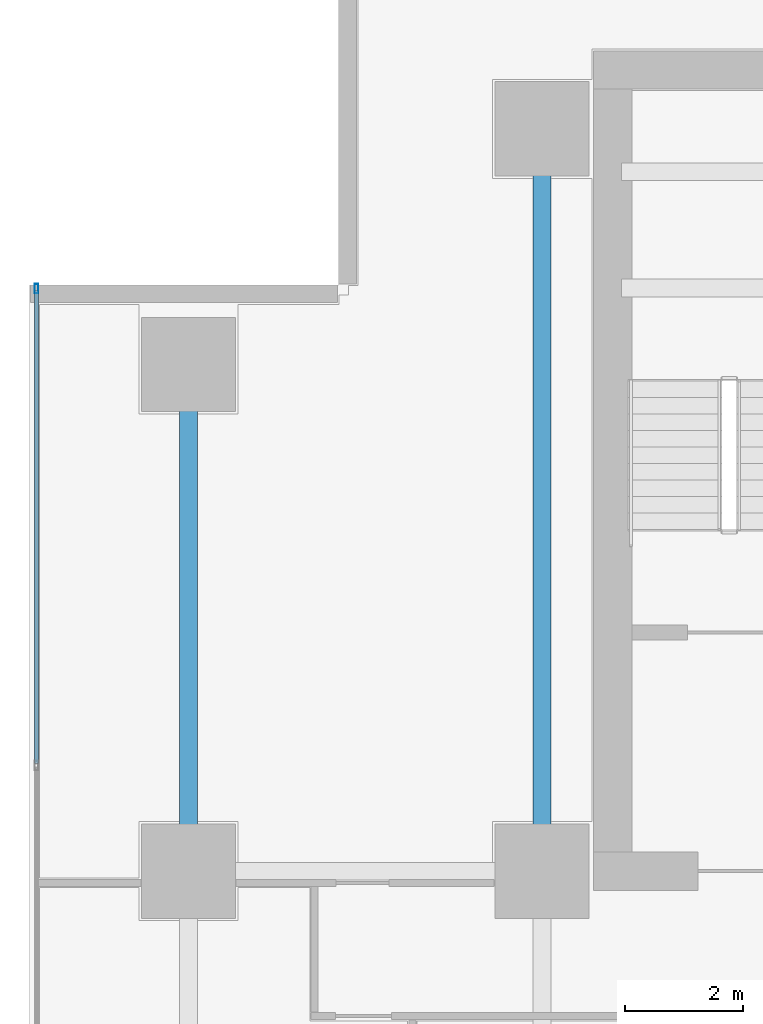
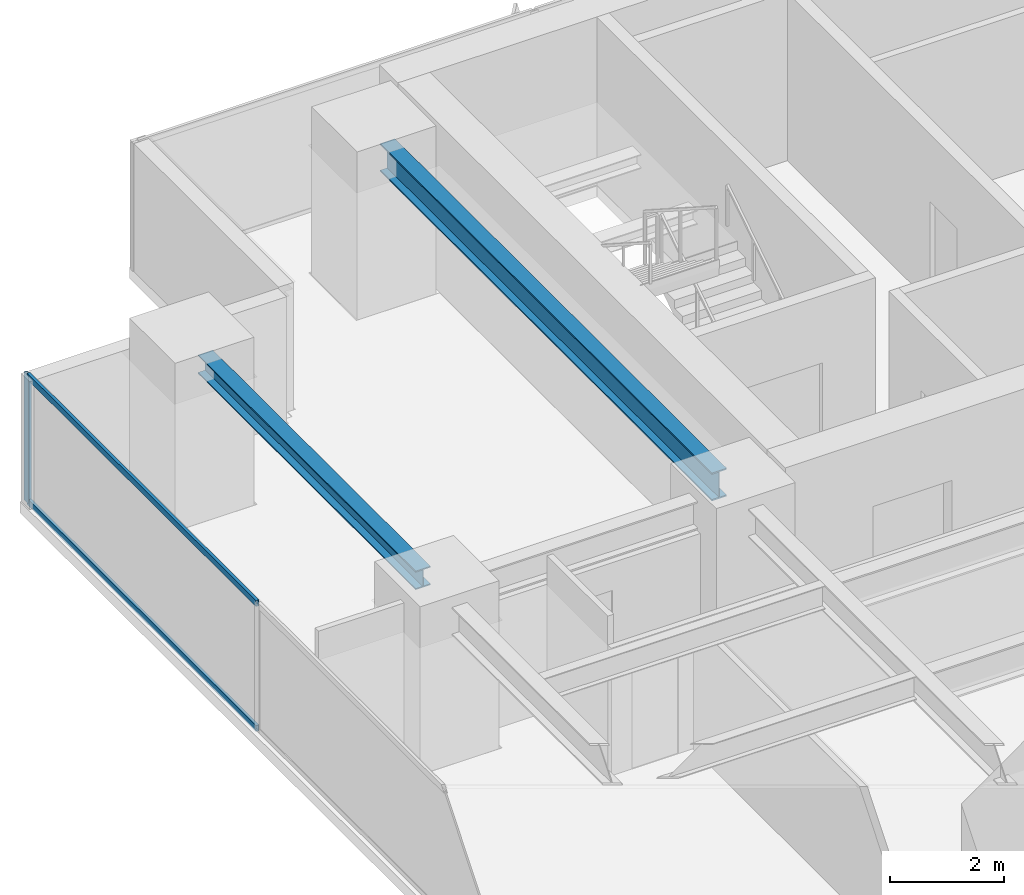
# One storey, part 18 of 37: 3 members, 2 beams, 1 element without a shape of its own.
"""IFC4 building model written with IfcOpenShell, lengths in metres."""

from ifc_helpers import new_model, si_unit, direction, frame, origin, origin_2d, place, context, subcontext, project, spatial, hollow_rectangle, i_section, extrude, source, transform, mapped, material, layer, layer_set, material_profile, profile_set, type_object, element, aggregate, save


model = new_model("IFC4")

# Units and contexts
model_context = context("Model", 3, precision=1e-05, world=origin(), true_north=direction((0.0, 1.0)))
body_context = subcontext(model_context, "Body", "Model", "MODEL_VIEW")
ifc_project = project(units=[si_unit("LENGTHUNIT", "METRE"), si_unit("AREAUNIT", "SQUARE_METRE"), si_unit("VOLUMEUNIT", "CUBIC_METRE"), si_unit("PLANEANGLEUNIT", "RADIAN"), si_unit("MASSUNIT", "GRAM", prefix="KILO")], contexts=[model_context])

# Site, building, storey
site_placement = place(None, origin())
site = spatial("IfcSite", under=ifc_project, at=site_placement, CompositionType="ELEMENT")
building_placement = place(site_placement, origin())
building = spatial("IfcBuilding", under=site, at=building_placement, Name="Sumidabori Civic Tower", CompositionType="ELEMENT")
storey_placement = place(building_placement, frame((0.0, 0.0, 88.39990234375)))
storey = spatial("IfcBuildingStorey", under=building, at=storey_placement, Name="L22", CompositionType="ELEMENT", Elevation=88.39990234375)

# Beams
ifc_material_1 = material(Name="Steel SN490", Category="steel")
ifc_material_profile_1 = material_profile(ifc_material_1, i_section(OverallWidth=0.300048828125, OverallDepth=0.39990234375, WebThickness=0.013427734375, FlangeThickness=0.02392578125, at=origin_2d()), Name="HE 400 B")
ifc_profile_set_1 = profile_set([ifc_material_profile_1], Name="Steel SN490")
beam_type_1 = type_object("IfcBeamType", Name="BM-GIRD-400", PredefinedType="BEAM", material=ifc_profile_set_1)
shared_shape_1 = source(origin(), body_context, "Body", "SweptSolid", [
    extrude(i_section(OverallWidth=0.300048828125, OverallDepth=0.39990234375, WebThickness=0.013427734375, FlangeThickness=0.02392578125, at=origin_2d()), origin(), (0.0, 0.0, 1.0), 7.64013671875),
])
beam_1_placement = place(storey_placement, frame((-22.800048828125, 10.679931640625, 3.16015625), z_axis=(0.0, 1.0, 0.0), x_axis=(-1.0, 0.0, 0.0)))
element("IfcBeam", 1, at=beam_1_placement, inside=storey, type_object=beam_type_1, Name="Primary Girder L22 GY-24", PredefinedType="BEAM", context=body_context, shape_type="MappedRepresentation", body=[
    mapped(shared_shape_1, transform((0.0, 0.0, 0.0), x_axis=(1.0, 0.0, 0.0), y_axis=(0.0, 1.0, 0.0), z_axis=(0.0, 0.0, 1.0), scale=1.0)),
])
ifc_material_profile_2 = material_profile(ifc_material_1, i_section(OverallWidth=0.300048828125, OverallDepth=0.60009765625, WebThickness=0.015380859375, FlangeThickness=0.030029296875, at=origin_2d()), Name="HE 600 B")
ifc_profile_set_2 = profile_set([ifc_material_profile_2], Name="Steel SN490")
beam_type_2 = type_object("IfcBeamType", Name="BM-GIRD-600", PredefinedType="BEAM", material=ifc_profile_set_2)
shared_shape_2 = source(origin(), body_context, "Body", "SweptSolid", [
    extrude(i_section(OverallWidth=0.300048828125, OverallDepth=0.60009765625, WebThickness=0.015380859375, FlangeThickness=0.030029296875, at=origin_2d()), origin(), (0.0, 0.0, 1.0), 11.64013671875),
])
beam_2_placement = place(storey_placement, frame((-16.800048828125, 10.679931640625, 3.06005859375), z_axis=(0.0, 1.0, 0.0), x_axis=(-1.0, 0.0, 0.0)))
element("IfcBeam", 2, at=beam_2_placement, inside=storey, type_object=beam_type_2, Name="Primary Girder L22 GY-28", PredefinedType="BEAM", context=body_context, shape_type="MappedRepresentation", body=[
    mapped(shared_shape_2, transform((0.0, 0.0, 0.0), x_axis=(1.0, 0.0, 0.0), y_axis=(0.0, 1.0, 0.0), z_axis=(0.0, 0.0, 1.0), scale=1.0)),
])

# Curtain wall, members
ifc_material_2 = material(Name="Anodised Bronze Aluminium AW-6063-T6", Category="aluminium")
ifc_layer = layer(ifc_material_2, 0.179931640625, Name="Anodised Bronze Aluminium AW-6063-T6")
ifc_layer_set = layer_set([ifc_layer], Name="Anodised Bronze Aluminium AW-6063-T6")
curtain_wall_type = type_object("IfcCurtainWallType", Name="CW-SYS-3", PredefinedType="NOTDEFINED", material=ifc_layer_set)
curtain_wall_placement = place(storey_placement, origin())
curtain_wall = element("IfcCurtainWall", 3, at=curtain_wall_placement, inside=storey, type_object=curtain_wall_type, Name="Curtain Wall CW:L22:R10", PredefinedType="NOTDEFINED")
ifc_material_profile_3 = material_profile(ifc_material_2, hollow_rectangle(XDim=0.06494140625, YDim=0.159912109375, WallThickness=0.0048828125, at=origin_2d()), Name="ALU MULLION 160x65")
ifc_profile_set_3 = profile_set([ifc_material_profile_3], Name="Anodised Bronze Aluminium AW-6063-T6")
member_type_1 = type_object("IfcMemberType", Name="CW-MUL-160", PredefinedType="MULLION", material=ifc_profile_set_3)
shared_shape_3 = source(origin(), body_context, "Body", "SweptSolid", [
    extrude(hollow_rectangle(XDim=0.06494140625, YDim=0.159912109375, WallThickness=0.0048828125, at=origin_2d()), origin(), (0.0, 0.0, 1.0), 2.739990234375),
])
member_1_placement = place(storey_placement, frame((-25.3798828125, 20.08740234375, 0.0), z_axis=(0.0, 0.0, 1.0), x_axis=(1.0, 0.0, 0.0)))
member_1 = element("IfcMember", 4, at=member_1_placement, type_object=member_type_1, Name="CW-3 mullion 1", PredefinedType="MULLION", context=body_context, shape_type="MappedRepresentation", body=[
    mapped(shared_shape_3, transform((0.0, 0.0, 0.0), x_axis=(1.0, 0.0, 0.0), y_axis=(0.0, 1.0, 0.0), z_axis=(0.0, 0.0, 1.0), scale=1.0)),
])
ifc_material_profile_4 = material_profile(ifc_material_2, hollow_rectangle(XDim=0.06005859375, YDim=0.1298828125, WallThickness=0.0048828125, at=origin_2d()), Name="ALU TRANSOM 130x60")
ifc_profile_set_4 = profile_set([ifc_material_profile_4], Name="Anodised Bronze Aluminium AW-6063-T6")
member_type_2 = type_object("IfcMemberType", Name="CW-TRN-130", PredefinedType="USERDEFINED", material=ifc_profile_set_4)
shared_shape_4 = source(origin(), body_context, "Body", "SweptSolid", [
    extrude(hollow_rectangle(XDim=0.06005859375, YDim=0.1298828125, WallThickness=0.0048828125, at=origin_2d()), origin(), (0.0, 0.0, 1.0), 8.030517578125),
])
member_2_placement = place(storey_placement, frame((-25.3798828125, 20.054931640625, 0.030029296875), z_axis=(0.0, -1.0, 0.0), x_axis=(1.0, 0.0, 0.0)))
member_2 = element("IfcMember", 5, at=member_2_placement, type_object=member_type_2, Name="CW-3 transom 1.1", ObjectType="TRANSOM", PredefinedType="USERDEFINED", context=body_context, shape_type="MappedRepresentation", body=[
    mapped(shared_shape_4, transform((0.0, 0.0, 0.0), x_axis=(1.0, 0.0, 0.0), y_axis=(0.0, 1.0, 0.0), z_axis=(0.0, 0.0, 1.0), scale=1.0)),
])
member_3_placement = place(storey_placement, frame((-25.3798828125, 20.054931640625, 2.710205078125), z_axis=(0.0, -1.0, 0.0), x_axis=(1.0, 0.0, 0.0)))
member_3 = element("IfcMember", 6, at=member_3_placement, type_object=member_type_2, Name="CW-3 transom 1.2", ObjectType="TRANSOM", PredefinedType="USERDEFINED", context=body_context, shape_type="MappedRepresentation", body=[
    mapped(shared_shape_4, transform((0.0, 0.0, 0.0), x_axis=(1.0, 0.0, 0.0), y_axis=(0.0, 1.0, 0.0), z_axis=(0.0, 0.0, 1.0), scale=1.0)),
])
aggregate(curtain_wall, [member_1, member_2, member_3])

save(model, "model.ifc")
